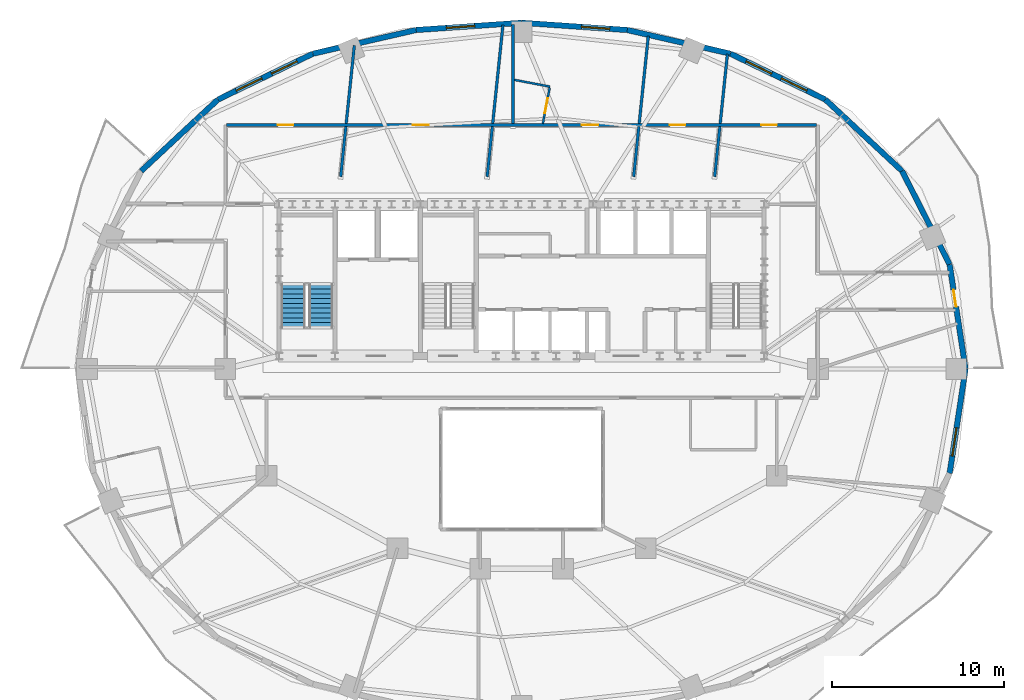
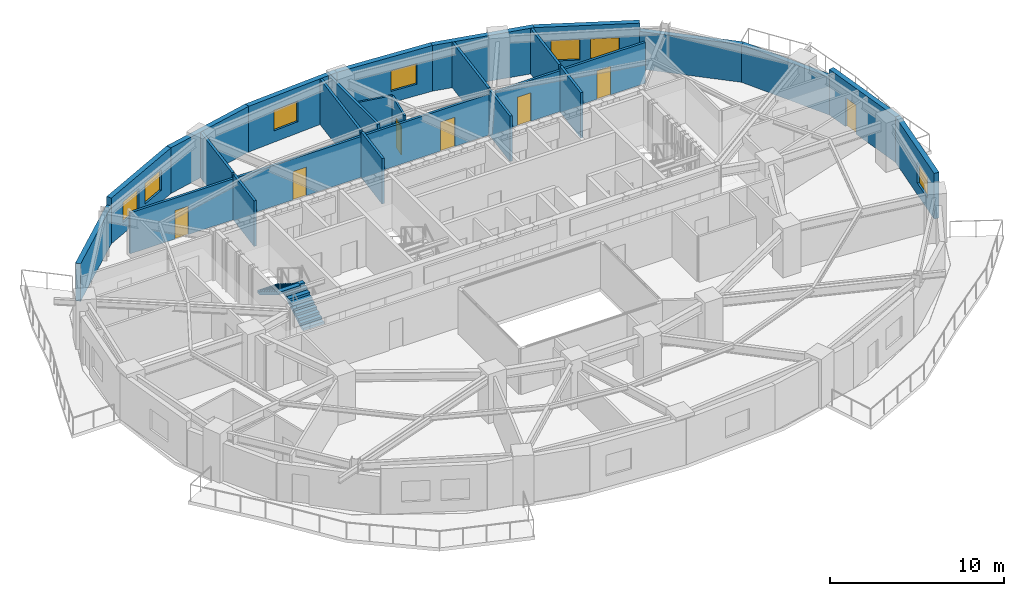
# One storey, part 8 of 13: 23 walls, 7 doors, 7 windows, 2 stair flights, 14 openings, 1 element without a shape of its own.
"""IFC4 building model written with IfcOpenShell, lengths in metres."""

from ifc_helpers import new_model, si_unit, direction, frame, frame_2d, origin, place, context, subcontext, project, spatial, polyline, rectangle, outline, extrude, material, layer, layer_set, type_object, element, fill, aggregate, save


model = new_model("IFC4")

# Units and contexts
model_context = context("Model", 3, precision=1e-05, world=origin(), true_north=direction((0.0, 1.0)))
body_context = subcontext(model_context, "Body", "Model", "MODEL_VIEW")
ifc_project = project(units=[si_unit("LENGTHUNIT", "METRE"), si_unit("AREAUNIT", "SQUARE_METRE"), si_unit("VOLUMEUNIT", "CUBIC_METRE"), si_unit("PLANEANGLEUNIT", "RADIAN"), si_unit("MASSUNIT", "GRAM", prefix="KILO")], contexts=[model_context])

# Site, building, storey
site_placement = place(None, origin())
site = spatial("IfcSite", under=ifc_project, at=site_placement, CompositionType="ELEMENT")
building_placement = place(site_placement, origin())
building = spatial("IfcBuilding", under=site, at=building_placement, Name="Haldorwick Loom Tower", CompositionType="ELEMENT")
storey_placement = place(building_placement, frame((0.0, 0.0, 178.60009765625)))
storey = spatial("IfcBuildingStorey", under=building, at=storey_placement, Name="L48", CompositionType="ELEMENT", Elevation=178.60009765625)

# Wall, opening, door
ifc_material_1 = material(Name="Pressed Clay Face Brick and Insulated Masonry Backup Assembly", Category="masonry")
ifc_layer_1 = layer(ifc_material_1, 0.320068359375, Name="Pressed Clay Face Brick and Insulated Masonry Backup Assembly", Category="masonry")
ifc_layer_set_1 = layer_set([ifc_layer_1], Name="Pressed Clay Face Brick and Insulated Masonry Backup Assembly")
wall_type_1 = type_object("IfcWallType", Name="ARC-WL-EXT320", PredefinedType="STANDARD", material=ifc_layer_set_1)
wall_1_placement = place(storey_placement, frame((61.757080078125, 26.0, 0.0), z_axis=(0.0, 0.0, 1.0), x_axis=(-0.150544467684, 0.988603238539, 0.0)))
wall_1 = element("IfcWall", 1, at=wall_1_placement, inside=storey, type_object=wall_type_1, Name="L48 Brick Pier and Spandrel Wall 1", PredefinedType="STANDARD", context=body_context, shape_type="SweptSolid", body=[
    extrude(rectangle(XDim=6.125244140625, YDim=0.320068359375, at=frame_2d((3.0625, 0.0))), origin(), (0.0, 0.0, 1.0), 3.2099609375),
])
opening_1_placement = place(wall_1_placement, frame((3.643798828125, 0.0, 0.0)))
opening_1 = element("IfcOpeningElement", 2, at=opening_1_placement, cuts=wall_1, Name="Opening D-BL10", PredefinedType="OPENING", context=body_context, shape_type="SweptSolid", body=[
    extrude(rectangle(XDim=1.0, YDim=2.0400390625, at=frame_2d((0.5, 1.02001953125))), frame((0.0, 0.169921875, 0.0), z_axis=(0.0, -1.0, 0.0), x_axis=(1.0, 0.0, 0.0)), (0.0, 0.0, 1.0), 0.340087890625),
])
ifc_material_2 = material(Name="Thermally Broken Anodized Aluminium Curtain Wall Framing", Category="aluminium")
door_type_1 = type_object("IfcDoorType", Name="ARC-DR-BAL100", OperationType="NOTDEFINED", PredefinedType="DOOR", material=ifc_material_2)
door_1_placement = place(opening_1_placement, origin())
door_1 = element("IfcDoor", 3, at=door_1_placement, inside=storey, type_object=door_type_1, Name="L48 Outdoor Terrace Door SLB-L48-BAL_ENE", OperationType="SINGLE_SWING_LEFT", OverallHeight=2.0400390625, OverallWidth=1.0, PredefinedType="DOOR", context=body_context, shape_type="SweptSolid", body=[
    extrude(rectangle(XDim=1.0, YDim=2.0400390625, at=frame_2d((0.5, 1.02001953125))), frame((0.0, 0.02490234375, 0.0), z_axis=(0.0, -1.0, 0.0), x_axis=(1.0, 0.0, 0.0)), (0.0, 0.0, 1.0), 0.050048828125),
])
fill(opening_1, door_1)

# Walls
wall_2_placement = place(storey_placement, frame((60.8349609375, 32.055419921875, 0.0), z_axis=(0.0, 0.0, 1.0), x_axis=(-0.453172129629, 0.89142303141, 0.0)))
element("IfcWall", 4, at=wall_2_placement, inside=storey, type_object=wall_type_1, Name="L48 Brick Pier and Spandrel Wall 2", PredefinedType="STANDARD", context=body_context, shape_type="SweptSolid", body=[
    extrude(rectangle(XDim=6.086669921875, YDim=0.320068359375, at=frame_2d((3.04345703125, 0.0))), origin(), (0.0, 0.0, 1.0), 2.640869140625),
])
wall_3_placement = place(storey_placement, frame((58.07666015625, 37.481201171875, 0.0), z_axis=(0.0, 0.0, 1.0), x_axis=(-0.732001571644, 0.681302942244, 0.0)))
element("IfcWall", 5, at=wall_3_placement, inside=storey, type_object=wall_type_1, Name="L48 Brick Pier and Spandrel Wall 3", PredefinedType="STANDARD", context=body_context, shape_type="SweptSolid", body=[
    extrude(rectangle(XDim=6.0869140625, YDim=0.320068359375, at=frame_2d((3.04345703125, 0.0))), origin(), (0.0, 0.0, 1.0), 2.640869140625),
])

# Wall, openings, windows
wall_4_placement = place(storey_placement, frame((53.62109375, 41.628173828125, 0.0), z_axis=(0.0, 0.0, 1.0), x_axis=(-0.900472429216, 0.43491309962, 0.0)))
wall_4 = element("IfcWall", 6, at=wall_4_placement, inside=storey, type_object=wall_type_1, Name="L48 Brick Pier and Spandrel Wall 4", PredefinedType="STANDARD", context=body_context, shape_type="SweptSolid", body=[
    extrude(rectangle(XDim=6.1181640625, YDim=0.320068359375, at=frame_2d((3.05908203125, 0.0))), origin(), (0.0, 0.0, 1.0), 3.2099609375),
])
opening_2_placement = place(wall_4_placement, frame((1.181884765625, 0.0, 0.800048828125)))
opening_2 = element("IfcOpeningElement", 7, at=opening_2_placement, cuts=wall_4, Name="Opening W-01B", PredefinedType="OPENING", context=body_context, shape_type="SweptSolid", body=[
    extrude(rectangle(XDim=1.64990234375, YDim=1.449951171875, at=frame_2d((0.824951171875, 0.72509765625))), frame((0.0, 0.169921875, 0.0), z_axis=(0.0, -1.0, 0.0), x_axis=(1.0, 0.0, 0.0)), (0.0, 0.0, 1.0), 0.340087890625),
])
opening_3_placement = place(wall_4_placement, frame((3.4580078125, 0.0, 0.800048828125)))
opening_3 = element("IfcOpeningElement", 8, at=opening_3_placement, cuts=wall_4, Name="Opening W-01B", PredefinedType="OPENING", context=body_context, shape_type="SweptSolid", body=[
    extrude(rectangle(XDim=1.64990234375, YDim=1.449951171875, at=frame_2d((0.824951171875, 0.72509765625))), frame((0.0, 0.169921875, 0.0), z_axis=(0.0, -1.0, 0.0), x_axis=(1.0, 0.0, 0.0)), (0.0, 0.0, 1.0), 0.340087890625),
])
ifc_material_3 = material(Name="Triple-Glazed Low-E Argon Insulated Glazing Unit", Category="glass")
window_type = type_object("IfcWindowType", Name="ARC-WIN-W165", PartitioningType="SINGLE_PANEL", PredefinedType="WINDOW", material=ifc_material_3)
window_1_placement = place(opening_2_placement, origin())
window_1 = element("IfcWindow", 9, at=window_1_placement, inside=storey, type_object=window_type, Name="L48 Deep-Set Zone 7A Window 4", OverallHeight=1.449951171875, OverallWidth=1.64990234375, PartitioningType="SINGLE_PANEL", PredefinedType="WINDOW", context=body_context, shape_type="SweptSolid", body=[
    extrude(rectangle(XDim=1.64990234375, YDim=1.449951171875, at=frame_2d((0.824951171875, 0.72509765625))), frame((0.0, 0.030029296875, 0.0), z_axis=(0.0, -1.0, 0.0), x_axis=(1.0, 0.0, 0.0)), (0.0, 0.0, 1.0), 0.06005859375),
])
fill(opening_2, window_1)
window_2_placement = place(opening_3_placement, origin())
window_2 = element("IfcWindow", 10, at=window_2_placement, inside=storey, type_object=window_type, Name="L48 Deep-Set Zone 7A Window 4", OverallHeight=1.449951171875, OverallWidth=1.64990234375, PartitioningType="SINGLE_PANEL", PredefinedType="WINDOW", context=body_context, shape_type="SweptSolid", body=[
    extrude(rectangle(XDim=1.64990234375, YDim=1.449951171875, at=frame_2d((0.824951171875, 0.72509765625))), frame((0.0, 0.030029296875, 0.0), z_axis=(0.0, -1.0, 0.0), x_axis=(1.0, 0.0, 0.0)), (0.0, 0.0, 1.0), 0.06005859375),
])
fill(opening_3, window_2)

# Wall
wall_5_placement = place(storey_placement, frame((48.11181640625, 44.2890625, 0.0), z_axis=(0.0, 0.0, 1.0), x_axis=(-0.974593223547, 0.223982250674, 0.0)))
element("IfcWall", 11, at=wall_5_placement, inside=storey, type_object=wall_type_1, Name="L48 Brick Pier and Spandrel Wall 5", PredefinedType="STANDARD", context=body_context, shape_type="SweptSolid", body=[
    extrude(rectangle(XDim=6.138916015625, YDim=0.320068359375, at=frame_2d((3.0693359375, 0.0))), origin(), (0.0, 0.0, 1.0), 3.2099609375),
])

# Wall, opening, window
wall_6_placement = place(storey_placement, frame((42.12890625, 45.6640625, 0.0), z_axis=(0.0, 0.0, 1.0), x_axis=(-0.997652942988, 0.068473391522, 0.0)))
wall_6 = element("IfcWall", 12, at=wall_6_placement, inside=storey, type_object=wall_type_1, Name="L48 Brick Pier and Spandrel Wall 6", PredefinedType="STANDARD", context=body_context, shape_type="SweptSolid", body=[
    extrude(rectangle(XDim=6.143310546875, YDim=0.320068359375, at=frame_2d((3.07177734375, 0.0))), origin(), (0.0, 0.0, 1.0), 3.2099609375),
])
opening_4_placement = place(wall_6_placement, frame((1.01806640625, 0.0, 0.800048828125)))
opening_4 = element("IfcOpeningElement", 13, at=opening_4_placement, cuts=wall_6, Name="Opening W-01B", PredefinedType="OPENING", context=body_context, shape_type="SweptSolid", body=[
    extrude(rectangle(XDim=1.64990234375, YDim=1.449951171875, at=frame_2d((0.824951171875, 0.72509765625))), frame((0.0, 0.169921875, 0.0), z_axis=(0.0, -1.0, 0.0), x_axis=(1.0, 0.0, 0.0)), (0.0, 0.0, 1.0), 0.340087890625),
])
window_3_placement = place(opening_4_placement, origin())
window_3 = element("IfcWindow", 14, at=window_3_placement, inside=storey, type_object=window_type, Name="L48 Deep-Set Zone 7A Window 6", OverallHeight=1.449951171875, OverallWidth=1.64990234375, PartitioningType="SINGLE_PANEL", PredefinedType="WINDOW", context=body_context, shape_type="SweptSolid", body=[
    extrude(rectangle(XDim=1.64990234375, YDim=1.449951171875, at=frame_2d((0.824951171875, 0.72509765625))), frame((0.0, 0.030029296875, 0.0), z_axis=(0.0, -1.0, 0.0), x_axis=(1.0, 0.0, 0.0)), (0.0, 0.0, 1.0), 0.06005859375),
])
fill(opening_4, window_3)

wall_7_placement = place(storey_placement, frame((36.0, 46.084716796875, 0.0), z_axis=(0.0, 0.0, 1.0), x_axis=(-0.997652942988, -0.068473391522, 0.0)))
wall_7 = element("IfcWall", 15, at=wall_7_placement, inside=storey, type_object=wall_type_1, Name="L48 Brick Pier and Spandrel Wall 7", PredefinedType="STANDARD", context=body_context, shape_type="SweptSolid", body=[
    extrude(rectangle(XDim=6.143310546875, YDim=0.320068359375, at=frame_2d((3.07177734375, 0.0))), origin(), (0.0, 0.0, 1.0), 3.2099609375),
])
opening_5_placement = place(wall_7_placement, frame((2.723388671875, 0.0, 0.800048828125)))
opening_5 = element("IfcOpeningElement", 16, at=opening_5_placement, cuts=wall_7, Name="Opening W-01B", PredefinedType="OPENING", context=body_context, shape_type="SweptSolid", body=[
    extrude(rectangle(XDim=1.64990234375, YDim=1.449951171875, at=frame_2d((0.824951171875, 0.72509765625))), frame((0.0, 0.169921875, 0.0), z_axis=(0.0, -1.0, 0.0), x_axis=(1.0, 0.0, 0.0)), (0.0, 0.0, 1.0), 0.340087890625),
])
window_4_placement = place(opening_5_placement, origin())
window_4 = element("IfcWindow", 17, at=window_4_placement, inside=storey, type_object=window_type, Name="L48 Deep-Set Zone 7A Window 7", OverallHeight=1.449951171875, OverallWidth=1.64990234375, PartitioningType="SINGLE_PANEL", PredefinedType="WINDOW", context=body_context, shape_type="SweptSolid", body=[
    extrude(rectangle(XDim=1.64990234375, YDim=1.449951171875, at=frame_2d((0.824951171875, 0.72509765625))), frame((0.0, 0.030029296875, 0.0), z_axis=(0.0, -1.0, 0.0), x_axis=(1.0, 0.0, 0.0)), (0.0, 0.0, 1.0), 0.06005859375),
])
fill(opening_5, window_4)

# Wall
wall_8_placement = place(storey_placement, frame((29.87109375, 45.6640625, 0.0), z_axis=(0.0, 0.0, 1.0), x_axis=(-0.974593223547, -0.223982250674, 0.0)))
element("IfcWall", 18, at=wall_8_placement, inside=storey, type_object=wall_type_1, Name="L48 Brick Pier and Spandrel Wall 8", PredefinedType="STANDARD", context=body_context, shape_type="SweptSolid", body=[
    extrude(rectangle(XDim=6.138916015625, YDim=0.320068359375, at=frame_2d((3.0693359375, 0.0))), origin(), (0.0, 0.0, 1.0), 3.2099609375),
])

# Wall, openings, windows
wall_9_placement = place(storey_placement, frame((23.88818359375, 44.2890625, 0.0), z_axis=(0.0, 0.0, 1.0), x_axis=(-0.900479976617, -0.434897472644, 0.0)))
wall_9 = element("IfcWall", 19, at=wall_9_placement, inside=storey, type_object=wall_type_1, Name="L48 Brick Pier and Spandrel Wall 9", PredefinedType="STANDARD", context=body_context, shape_type="SweptSolid", body=[
    extrude(rectangle(XDim=6.118408203125, YDim=0.320068359375, at=frame_2d((3.05908203125, 0.0))), origin(), (0.0, 0.0, 1.0), 3.2099609375),
])
opening_6_placement = place(wall_9_placement, frame((1.010498046875, 0.0, 0.800048828125)))
opening_6 = element("IfcOpeningElement", 20, at=opening_6_placement, cuts=wall_9, Name="Opening W-01B", PredefinedType="OPENING", context=body_context, shape_type="SweptSolid", body=[
    extrude(rectangle(XDim=1.64990234375, YDim=1.449951171875, at=frame_2d((0.824951171875, 0.72509765625))), frame((0.0, 0.169921875, 0.0), z_axis=(0.0, -1.0, 0.0), x_axis=(1.0, 0.0, 0.0)), (0.0, 0.0, 1.0), 0.340087890625),
])
opening_7_placement = place(wall_9_placement, frame((3.28662109375, 0.0, 0.800048828125)))
opening_7 = element("IfcOpeningElement", 21, at=opening_7_placement, cuts=wall_9, Name="Opening W-01B", PredefinedType="OPENING", context=body_context, shape_type="SweptSolid", body=[
    extrude(rectangle(XDim=1.64990234375, YDim=1.449951171875, at=frame_2d((0.824951171875, 0.72509765625))), frame((0.0, 0.169921875, 0.0), z_axis=(0.0, -1.0, 0.0), x_axis=(1.0, 0.0, 0.0)), (0.0, 0.0, 1.0), 0.340087890625),
])
window_5_placement = place(opening_6_placement, origin())
window_5 = element("IfcWindow", 22, at=window_5_placement, inside=storey, type_object=window_type, Name="L48 Deep-Set Zone 7A Window 9", OverallHeight=1.449951171875, OverallWidth=1.64990234375, PartitioningType="SINGLE_PANEL", PredefinedType="WINDOW", context=body_context, shape_type="SweptSolid", body=[
    extrude(rectangle(XDim=1.64990234375, YDim=1.449951171875, at=frame_2d((0.824951171875, 0.72509765625))), frame((0.0, 0.030029296875, 0.0), z_axis=(0.0, -1.0, 0.0), x_axis=(1.0, 0.0, 0.0)), (0.0, 0.0, 1.0), 0.06005859375),
])
fill(opening_6, window_5)
window_6_placement = place(opening_7_placement, origin())
window_6 = element("IfcWindow", 23, at=window_6_placement, inside=storey, type_object=window_type, Name="L48 Deep-Set Zone 7A Window 9", OverallHeight=1.449951171875, OverallWidth=1.64990234375, PartitioningType="SINGLE_PANEL", PredefinedType="WINDOW", context=body_context, shape_type="SweptSolid", body=[
    extrude(rectangle(XDim=1.64990234375, YDim=1.449951171875, at=frame_2d((0.824951171875, 0.72509765625))), frame((0.0, 0.030029296875, 0.0), z_axis=(0.0, -1.0, 0.0), x_axis=(1.0, 0.0, 0.0)), (0.0, 0.0, 1.0), 0.06005859375),
])
fill(opening_7, window_6)

# Wall
wall_10_placement = place(storey_placement, frame((18.378662109375, 41.628173828125, 0.0), z_axis=(0.0, 0.0, 1.0), x_axis=(-0.731982952968, -0.681322945866, 0.0)))
element("IfcWall", 24, at=wall_10_placement, inside=storey, type_object=wall_type_1, Name="L48 Brick Pier and Spandrel Wall 10", PredefinedType="STANDARD", context=body_context, shape_type="SweptSolid", body=[
    extrude(rectangle(XDim=6.086669921875, YDim=0.320068359375, at=frame_2d((3.04345703125, 0.0))), origin(), (0.0, 0.0, 1.0), 2.640869140625),
])

# Wall, opening, window
wall_11_placement = place(storey_placement, frame((60.8349609375, 19.944580078125, 0.0), z_axis=(0.0, 0.0, 1.0), x_axis=(0.150544467684, 0.988603238539, 0.0)))
wall_11 = element("IfcWall", 25, at=wall_11_placement, inside=storey, type_object=wall_type_1, Name="L48 Brick Pier and Spandrel Wall 24", PredefinedType="STANDARD", context=body_context, shape_type="SweptSolid", body=[
    extrude(rectangle(XDim=6.125244140625, YDim=0.320068359375, at=frame_2d((3.0625, 0.0))), origin(), (0.0, 0.0, 1.0), 3.2099609375),
])
opening_8_placement = place(wall_11_placement, frame((1.0126953125, 0.0, 0.800048828125)))
opening_8 = element("IfcOpeningElement", 26, at=opening_8_placement, cuts=wall_11, Name="Opening W-01B", PredefinedType="OPENING", context=body_context, shape_type="SweptSolid", body=[
    extrude(rectangle(XDim=1.64990234375, YDim=1.449951171875, at=frame_2d((0.824951171875, 0.72509765625))), frame((0.0, 0.169921875, 0.0), z_axis=(0.0, -1.0, 0.0), x_axis=(1.0, 0.0, 0.0)), (0.0, 0.0, 1.0), 0.340087890625),
])
window_7_placement = place(opening_8_placement, origin())
window_7 = element("IfcWindow", 27, at=window_7_placement, inside=storey, type_object=window_type, Name="L48 Deep-Set Zone 7A Window 24", OverallHeight=1.449951171875, OverallWidth=1.64990234375, PartitioningType="SINGLE_PANEL", PredefinedType="WINDOW", context=body_context, shape_type="SweptSolid", body=[
    extrude(rectangle(XDim=1.64990234375, YDim=1.449951171875, at=frame_2d((0.824951171875, 0.72509765625))), frame((0.0, 0.030029296875, 0.0), z_axis=(0.0, -1.0, 0.0), x_axis=(1.0, 0.0, 0.0)), (0.0, 0.0, 1.0), 0.06005859375),
])
fill(opening_8, window_7)

# Wall, openings, doors
ifc_material_4 = material(Name="Fire-Rated Type X Gypsum Stud Assembly EI 60")
ifc_layer_2 = layer(ifc_material_4, 0.159912109375, Name="Fire-Rated Type X Gypsum Stud Assembly EI 60")
ifc_layer_set_2 = layer_set([ifc_layer_2], Name="Fire-Rated Type X Gypsum Stud Assembly EI 60")
wall_type_2 = type_object("IfcWallType", Name="ARC-WL-FIRE160", PredefinedType="PARTITIONING", material=ifc_layer_set_2)
wall_12_placement = place(storey_placement, frame((18.883056640625, 40.14990234375, 0.0), z_axis=(0.0, 0.0, 1.0), x_axis=(1.0, 0.0, 0.0)))
wall_12 = element("IfcWall", 28, at=wall_12_placement, inside=storey, type_object=wall_type_2, Name="L48 Residential Fire Partition L48-CR-N0", PredefinedType="PARTITIONING", context=body_context, shape_type="SweptSolid", body=[
    extrude(rectangle(XDim=34.23388671875, YDim=0.159912109375, at=frame_2d((17.116943359375, 0.0))), origin(), (0.0, 0.0, 1.0), 2.871826171875),
])
opening_9_placement = place(wall_12_placement, frame((10.814208984375, 0.0, 0.0)))
opening_9 = element("IfcOpeningElement", 29, at=opening_9_placement, cuts=wall_12, Name="Opening D-FD60A", PredefinedType="OPENING", context=body_context, shape_type="SweptSolid", body=[
    extrude(rectangle(XDim=0.89990234375, YDim=2.0, at=frame_2d((0.449951171875, 1.0))), frame((0.0, 0.08984375, 0.0), z_axis=(0.0, -1.0, 0.0), x_axis=(1.0, 0.0, 0.0)), (0.0, 0.0, 1.0), 0.179931640625),
])
opening_10_placement = place(wall_12_placement, frame((2.973388671875, 0.0, 0.0)))
opening_10 = element("IfcOpeningElement", 30, at=opening_10_placement, cuts=wall_12, Name="Opening D-FD60A", PredefinedType="OPENING", context=body_context, shape_type="SweptSolid", body=[
    extrude(rectangle(XDim=0.89990234375, YDim=2.0, at=frame_2d((0.449951171875, 1.0))), frame((0.0, 0.08984375, 0.0), z_axis=(0.0, -1.0, 0.0), x_axis=(1.0, 0.0, 0.0)), (0.0, 0.0, 1.0), 0.179931640625),
])
opening_11_placement = place(wall_12_placement, frame((20.61767578125, 0.0, 0.0)))
opening_11 = element("IfcOpeningElement", 31, at=opening_11_placement, cuts=wall_12, Name="Opening D-FL95", PredefinedType="OPENING", context=body_context, shape_type="SweptSolid", body=[
    extrude(rectangle(XDim=0.949951171875, YDim=2.0400390625, at=frame_2d((0.47509765625, 1.02001953125))), frame((0.0, 0.08984375, 0.0), z_axis=(0.0, -1.0, 0.0), x_axis=(1.0, 0.0, 0.0)), (0.0, 0.0, 1.0), 0.179931640625),
])
opening_12_placement = place(wall_12_placement, frame((31.023193359375, 0.0, 0.0)))
opening_12 = element("IfcOpeningElement", 32, at=opening_12_placement, cuts=wall_12, Name="Opening D-FD60A", PredefinedType="OPENING", context=body_context, shape_type="SweptSolid", body=[
    extrude(rectangle(XDim=0.89990234375, YDim=2.0, at=frame_2d((0.449951171875, 1.0))), frame((0.0, 0.08984375, 0.0), z_axis=(0.0, -1.0, 0.0), x_axis=(1.0, 0.0, 0.0)), (0.0, 0.0, 1.0), 0.179931640625),
])
opening_13_placement = place(wall_12_placement, frame((25.722412109375, 0.0, 0.0)))
opening_13 = element("IfcOpeningElement", 33, at=opening_13_placement, cuts=wall_12, Name="Opening D-FD60A", PredefinedType="OPENING", context=body_context, shape_type="SweptSolid", body=[
    extrude(rectangle(XDim=0.89990234375, YDim=2.0, at=frame_2d((0.449951171875, 1.0))), frame((0.0, 0.08984375, 0.0), z_axis=(0.0, -1.0, 0.0), x_axis=(1.0, 0.0, 0.0)), (0.0, 0.0, 1.0), 0.179931640625),
])
ifc_material_5 = material(Name="Hollow Steel Fire Door Assembly", Category="steel")
door_type_2 = type_object("IfcDoorType", Name="ARC-DR-FD60-90", OperationType="NOTDEFINED", PredefinedType="DOOR", material=ifc_material_5)
door_2_placement = place(opening_9_placement, frame((0.89990234375, 0.0, 0.0), z_axis=(0.0, 0.0, 1.0), x_axis=(-1.0, 0.0, 0.0)))
door_2 = element("IfcDoor", 34, at=door_2_placement, inside=storey, type_object=door_type_2, Name="L48 Community Library Hall 3 to L48 North Residential Corridor Door", OperationType="SINGLE_SWING_LEFT", OverallHeight=2.0, OverallWidth=0.89990234375, PredefinedType="DOOR", context=body_context, shape_type="SweptSolid", body=[
    extrude(rectangle(XDim=0.89990234375, YDim=2.0, at=frame_2d((0.449951171875, 1.0))), frame((0.0, 0.02490234375, 0.0), z_axis=(0.0, -1.0, 0.0), x_axis=(1.0, 0.0, 0.0)), (0.0, 0.0, 1.0), 0.050048828125),
])
fill(opening_9, door_2)
door_3_placement = place(opening_10_placement, frame((0.89990234375, 0.0, 0.0), z_axis=(0.0, 0.0, 1.0), x_axis=(-1.0, 0.0, 0.0)))
door_3 = element("IfcDoor", 35, at=door_3_placement, inside=storey, type_object=door_type_2, Name="L48 Community Library Hall 2 to L48 North Residential Corridor Door", OperationType="SINGLE_SWING_RIGHT", OverallHeight=2.0, OverallWidth=0.89990234375, PredefinedType="DOOR", context=body_context, shape_type="SweptSolid", body=[
    extrude(rectangle(XDim=0.89990234375, YDim=2.0, at=frame_2d((0.449951171875, 1.0))), frame((0.0, 0.02490234375, 0.0), z_axis=(0.0, -1.0, 0.0), x_axis=(1.0, 0.0, 0.0)), (0.0, 0.0, 1.0), 0.050048828125),
])
fill(opening_10, door_3)
door_4_placement = place(opening_12_placement, origin())
door_4 = element("IfcDoor", 36, at=door_4_placement, inside=storey, type_object=door_type_2, Name="L48 Community Library Hall 1 to L48 North Residential Corridor Door", OperationType="SINGLE_SWING_RIGHT", OverallHeight=2.0, OverallWidth=0.89990234375, PredefinedType="DOOR", context=body_context, shape_type="SweptSolid", body=[
    extrude(rectangle(XDim=0.89990234375, YDim=2.0, at=frame_2d((0.449951171875, 1.0))), frame((0.0, 0.02490234375, 0.0), z_axis=(0.0, -1.0, 0.0), x_axis=(1.0, 0.0, 0.0)), (0.0, 0.0, 1.0), 0.050048828125),
])
fill(opening_12, door_4)
door_5_placement = place(opening_13_placement, frame((0.89990234375, 0.0, 0.0), z_axis=(0.0, 0.0, 1.0), x_axis=(-1.0, 0.0, 0.0)))
door_5 = element("IfcDoor", 37, at=door_5_placement, inside=storey, type_object=door_type_2, Name="L48 Resident Study Room 9 to L48 North Residential Corridor Door", OperationType="SINGLE_SWING_LEFT", OverallHeight=2.0, OverallWidth=0.89990234375, PredefinedType="DOOR", context=body_context, shape_type="SweptSolid", body=[
    extrude(rectangle(XDim=0.89990234375, YDim=2.0, at=frame_2d((0.449951171875, 1.0))), frame((0.0, 0.02490234375, 0.0), z_axis=(0.0, -1.0, 0.0), x_axis=(1.0, 0.0, 0.0)), (0.0, 0.0, 1.0), 0.050048828125),
])
fill(opening_13, door_5)
ifc_material_6 = material(Name="Solid Core Birch Architectural Door")
door_type_3 = type_object("IfcDoorType", Name="ARC-DR-FLAT95", OperationType="NOTDEFINED", PredefinedType="DOOR", material=ifc_material_6)
door_6_placement = place(opening_11_placement, frame((0.949951171875, 0.0, 0.0), z_axis=(0.0, 0.0, 1.0), x_axis=(-1.0, 0.0, 0.0)))
door_6 = element("IfcDoor", 38, at=door_6_placement, inside=storey, type_object=door_type_3, Name="L48 Unit 48D Kitchen and Studio Living Room to L48 North Residential Cor", OperationType="SINGLE_SWING_LEFT", OverallHeight=2.0400390625, OverallWidth=0.949951171875, PredefinedType="DOOR", context=body_context, shape_type="SweptSolid", body=[
    extrude(rectangle(XDim=0.949951171875, YDim=2.0400390625, at=frame_2d((0.47509765625, 1.02001953125))), frame((0.0, 0.02490234375, 0.0), z_axis=(0.0, -1.0, 0.0), x_axis=(1.0, 0.0, 0.0)), (0.0, 0.0, 1.0), 0.050048828125),
])
fill(opening_11, door_6)

# Walls
wall_13_placement = place(storey_placement, frame((35.5, 40.23291015625, 0.0), z_axis=(0.0, 0.0, 1.0), x_axis=(0.0, 1.0, 0.0)))
element("IfcWall", 39, at=wall_13_placement, inside=storey, type_object=wall_type_2, Name="L48 Residential Fire Partition L48-NBP-0", PredefinedType="PARTITIONING", context=body_context, shape_type="SweptSolid", body=[
    extrude(rectangle(XDim=5.752197265625, YDim=0.159912109375, at=frame_2d((2.8759765625, 0.0))), origin(), (0.0, 0.0, 1.0), 3.19482421875),
])
wall_14_placement = place(storey_placement, frame((25.5, 37.14990234375, 0.0), z_axis=(0.0, 0.0, 1.0), x_axis=(0.103558045218, 0.994623411785, 0.0)))
element("IfcWall", 40, at=wall_14_placement, inside=storey, type_object=wall_type_2, Name="L48 Residential Fire Partition L48-UPN-11", PredefinedType="PARTITIONING", context=body_context, shape_type="SweptSolid", body=[
    extrude(rectangle(XDim=2.932861328125, YDim=0.159912109375, at=frame_2d((1.46630859375, 0.0))), origin(), (0.0, 0.0, 1.0), 3.19482421875),
])
wall_15_placement = place(storey_placement, frame((25.821044921875, 40.23291015625, 0.0), z_axis=(0.0, 0.0, 1.0), x_axis=(0.10360498247, 0.99461852366, 0.0)))
element("IfcWall", 41, at=wall_15_placement, inside=storey, type_object=wall_type_2, Name="L48 Residential Fire Partition L48-UPN-11", PredefinedType="PARTITIONING", context=body_context, shape_type="SweptSolid", body=[
    extrude(rectangle(XDim=4.56689453125, YDim=0.159912109375, at=frame_2d((2.283447265625, 0.0))), origin(), (0.0, 0.0, 1.0), 3.19482421875),
])
wall_16_placement = place(storey_placement, frame((34.0, 37.14990234375, 0.0), z_axis=(0.0, 0.0, 1.0), x_axis=(0.103558045218, 0.994623411785, 0.0)))
element("IfcWall", 42, at=wall_16_placement, inside=storey, type_object=wall_type_2, Name="L48 Residential Fire Partition L48-UPN-12", PredefinedType="PARTITIONING", context=body_context, shape_type="SweptSolid", body=[
    extrude(rectangle(XDim=2.932861328125, YDim=0.159912109375, at=frame_2d((1.46630859375, 0.0))), origin(), (0.0, 0.0, 1.0), 3.19482421875),
])
wall_17_placement = place(storey_placement, frame((34.321044921875, 40.23291015625, 0.0), z_axis=(0.0, 0.0, 1.0), x_axis=(0.103598199088, 0.994619230231, 0.0)))
element("IfcWall", 43, at=wall_17_placement, inside=storey, type_object=wall_type_2, Name="L48 Residential Fire Partition L48-UPN-12", PredefinedType="PARTITIONING", context=body_context, shape_type="SweptSolid", body=[
    extrude(rectangle(XDim=5.7431640625, YDim=0.159912109375, at=frame_2d((2.87158203125, 0.0))), origin(), (0.0, 0.0, 1.0), 3.19482421875),
])
wall_18_placement = place(storey_placement, frame((42.5, 37.14990234375, 0.0), z_axis=(0.0, 0.0, 1.0), x_axis=(0.103558045218, 0.994623411785, 0.0)))
element("IfcWall", 44, at=wall_18_placement, inside=storey, type_object=wall_type_2, Name="L48 Residential Fire Partition L48-UPN-13", PredefinedType="PARTITIONING", context=body_context, shape_type="SweptSolid", body=[
    extrude(rectangle(XDim=2.932861328125, YDim=0.159912109375, at=frame_2d((1.46630859375, 0.0))), origin(), (0.0, 0.0, 1.0), 3.19482421875),
])
wall_19_placement = place(storey_placement, frame((42.821044921875, 40.23291015625, 0.0), z_axis=(0.0, 0.0, 1.0), x_axis=(0.103608053214, 0.994618203789, 0.0)))
element("IfcWall", 45, at=wall_19_placement, inside=storey, type_object=wall_type_2, Name="L48 Residential Fire Partition L48-UPN-13", PredefinedType="PARTITIONING", context=body_context, shape_type="SweptSolid", body=[
    extrude(rectangle(XDim=5.111083984375, YDim=0.159912109375, at=frame_2d((2.5556640625, 0.0))), origin(), (0.0, 0.0, 1.0), 3.19482421875),
])
wall_20_placement = place(storey_placement, frame((47.199951171875, 37.14990234375, 0.0), z_axis=(0.0, 0.0, 1.0), x_axis=(0.103640397417, 0.994614834005, 0.0)))
element("IfcWall", 46, at=wall_20_placement, inside=storey, type_object=wall_type_2, Name="L48 Residential Fire Partition L48-UPN-14", PredefinedType="PARTITIONING", context=body_context, shape_type="SweptSolid", body=[
    extrude(rectangle(XDim=2.932861328125, YDim=0.159912109375, at=frame_2d((1.46630859375, 0.0))), origin(), (0.0, 0.0, 1.0), 3.19482421875),
])
wall_21_placement = place(storey_placement, frame((47.52099609375, 40.23291015625, 0.0), z_axis=(0.0, 0.0, 1.0), x_axis=(0.103608568659, 0.994618150096, 0.0)))
element("IfcWall", 47, at=wall_21_placement, inside=storey, type_object=wall_type_2, Name="L48 Residential Fire Partition L48-UPN-14", PredefinedType="PARTITIONING", context=body_context, shape_type="SweptSolid", body=[
    extrude(rectangle(XDim=4.050537109375, YDim=0.159912109375, at=frame_2d((2.025390625, 0.0))), origin(), (0.0, 0.0, 1.0), 3.19482421875),
])
ifc_material_7 = material(Name="Acoustic Gypsum Stud Assembly STC 55")
ifc_layer_3 = layer(ifc_material_7, 0.1201171875, Name="Acoustic Gypsum Stud Assembly STC 55")
ifc_layer_set_3 = layer_set([ifc_layer_3], Name="Acoustic Gypsum Stud Assembly STC 55")
wall_type_3 = type_object("IfcWallType", Name="ARC-WL-PART120", PredefinedType="PARTITIONING", material=ifc_layer_set_3)
wall_22_placement = place(storey_placement, frame((37.640380859375, 42.3798828125, 0.0), z_axis=(0.0, 0.0, 1.0), x_axis=(-0.982427230811, 0.186646018337, 0.0)))
element("IfcWall", 48, at=wall_22_placement, inside=storey, type_object=wall_type_3, Name="L48 Unit 48D Interior Partition", PredefinedType="PARTITIONING", context=body_context, shape_type="SweptSolid", body=[
    extrude(rectangle(XDim=2.09423828125, YDim=0.1201171875, at=frame_2d((1.047119140625, 0.0))), origin(), (0.0, 0.0, 1.0), 3.19482421875),
])

# Wall, opening, door
wall_23_placement = place(storey_placement, frame((37.232421875, 40.23291015625, 0.0), z_axis=(0.0, 0.0, 1.0), x_axis=(0.186572940308, 0.982441111693, 0.0)))
wall_23 = element("IfcWall", 49, at=wall_23_placement, inside=storey, type_object=wall_type_3, Name="L48 Unit 48D Interior Partition", PredefinedType="PARTITIONING", context=body_context, shape_type="SweptSolid", body=[
    extrude(rectangle(XDim=2.12255859375, YDim=0.1201171875, at=frame_2d((1.061279296875, 0.0))), origin(), (0.0, 0.0, 1.0), 3.19482421875),
])
opening_14_placement = place(wall_23_placement, frame((0.62109375, 0.0, 0.0)))
opening_14 = element("IfcOpeningElement", 50, at=opening_14_placement, cuts=wall_23, Name="Opening D-BT88", PredefinedType="OPENING", context=body_context, shape_type="SweptSolid", body=[
    extrude(rectangle(XDim=0.8798828125, YDim=2.02001953125, at=frame_2d((0.43994140625, 1.010009765625))), frame((0.0, 0.070068359375, 0.0), z_axis=(0.0, -1.0, 0.0), x_axis=(1.0, 0.0, 0.0)), (0.0, 0.0, 1.0), 0.14013671875),
])
door_type_4 = type_object("IfcDoorType", Name="ARC-DR-BATH88", OperationType="NOTDEFINED", PredefinedType="DOOR", material=ifc_material_6)
door_7_placement = place(opening_14_placement, origin())
door_7 = element("IfcDoor", 51, at=door_7_placement, inside=storey, type_object=door_type_4, Name="L48 Unit 48D Bathroom to Unit 48D Kitchen and Studio Living Room Door", OperationType="SINGLE_SWING_RIGHT", OverallHeight=2.02001953125, OverallWidth=0.8798828125, PredefinedType="DOOR", context=body_context, shape_type="SweptSolid", body=[
    extrude(rectangle(XDim=0.8798828125, YDim=2.02001953125, at=frame_2d((0.43994140625, 1.010009765625))), frame((0.0, 0.02490234375, 0.0), z_axis=(0.0, -1.0, 0.0), x_axis=(1.0, 0.0, 0.0)), (0.0, 0.0, 1.0), 0.050048828125),
])
fill(opening_14, door_7)

# Stair, stair flights
ifc_material_8 = material(Name="Concrete C40 (40 MPa)", Category="concrete")
stair_type = type_object("IfcStairType", Name="STR-STR-CORE", PredefinedType="HALF_TURN_STAIR", material=ifc_material_8)
stair_placement = place(storey_placement, origin())
stair = element("IfcStair", 52, at=stair_placement, inside=storey, type_object=stair_type, Name="L48 Exit Stair ST-01", PredefinedType="HALF_TURN_STAIR")
stair_flight_type = type_object("IfcStairFlightType", Name="STR-STF-1250", PredefinedType="STRAIGHT", material=ifc_material_8)
stair_flight_1_placement = place(storey_placement, frame((24.35009765625, 28.39990234375, 0.0), z_axis=(0.0, 0.0, 1.0), x_axis=(0.0, 1.0, 0.0)))
stair_flight_1 = element("IfcStairFlight", 53, at=stair_flight_1_placement, type_object=stair_flight_type, Name="ST-01 flight 1", NumberOfRisers=10, NumberOfTreads=9, PredefinedType="STRAIGHT", RiserHeight=0.1725, TreadLength=0.28, context=body_context, shape_type="SweptSolid", body=[
    extrude(outline(polyline([(0.0, 0.0), (0.0, 0.172607421875), (0.280029296875, 0.172607421875), (0.280029296875, 0.344970703125), (0.56005859375, 0.344970703125), (0.56005859375, 0.517578125), (0.840087890625, 0.517578125), (0.840087890625, 0.68994140625), (1.1201171875, 0.68994140625), (1.1201171875, 0.862548828125), (1.39990234375, 0.862548828125), (1.39990234375, 1.034912109375), (1.679931640625, 1.034912109375), (1.679931640625, 1.20751953125), (1.9599609375, 1.20751953125), (1.9599609375, 1.3798828125), (2.239990234375, 1.3798828125), (2.239990234375, 1.552490234375), (2.52001953125, 1.552490234375), (2.52001953125, 1.72509765625), (2.52001953125, 1.37646484375), (0.285888671875, 0.0), (0.0, 0.0)])), frame((0.0, 0.699951171875, 0.0), z_axis=(0.0, -1.0, 0.0), x_axis=(1.0, 0.0, 0.0)), (0.0, 0.0, 1.0), 1.39990234375),
])
stair_flight_2_placement = place(storey_placement, frame((22.75, 30.919921875, 1.724853515625), z_axis=(0.0, 0.0, 1.0), x_axis=(0.0, -1.0, 0.0)))
stair_flight_2 = element("IfcStairFlight", 54, at=stair_flight_2_placement, type_object=stair_flight_type, Name="ST-01 flight 2", NumberOfRisers=10, NumberOfTreads=9, PredefinedType="STRAIGHT", RiserHeight=0.1725, TreadLength=0.28, context=body_context, shape_type="SweptSolid", body=[
    extrude(outline(polyline([(0.0, 0.0), (0.0, 0.172607421875), (0.280029296875, 0.172607421875), (0.280029296875, 0.344970703125), (0.56005859375, 0.344970703125), (0.56005859375, 0.517578125), (0.840087890625, 0.517578125), (0.840087890625, 0.68994140625), (1.1201171875, 0.68994140625), (1.1201171875, 0.862548828125), (1.39990234375, 0.862548828125), (1.39990234375, 1.034912109375), (1.679931640625, 1.034912109375), (1.679931640625, 1.20751953125), (1.9599609375, 1.20751953125), (1.9599609375, 1.3798828125), (2.239990234375, 1.3798828125), (2.239990234375, 1.552490234375), (2.52001953125, 1.552490234375), (2.52001953125, 1.72509765625), (2.52001953125, 1.37646484375), (0.285888671875, 0.0), (0.0, 0.0)])), frame((0.0, 0.699951171875, 0.0), z_axis=(0.0, -1.0, 0.0), x_axis=(1.0, 0.0, 0.0)), (0.0, 0.0, 1.0), 1.39990234375),
])
aggregate(stair, [stair_flight_1, stair_flight_2])

save(model, "model.ifc")
